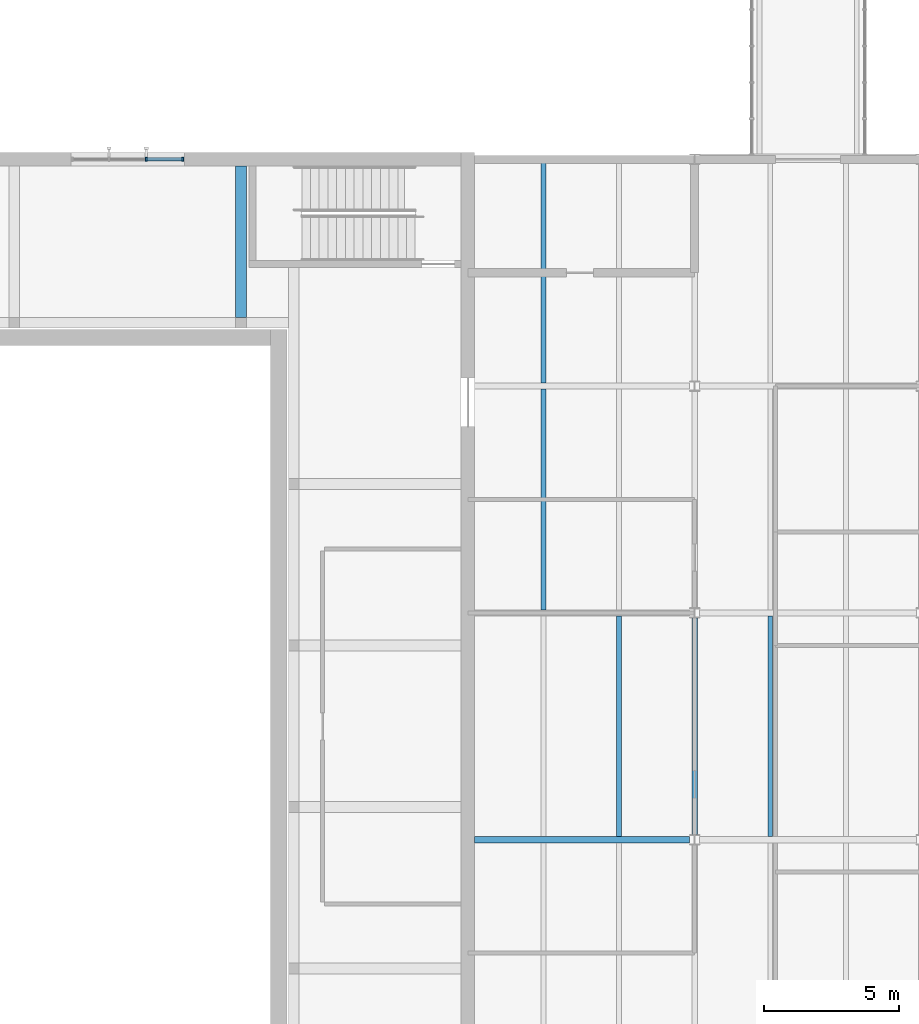
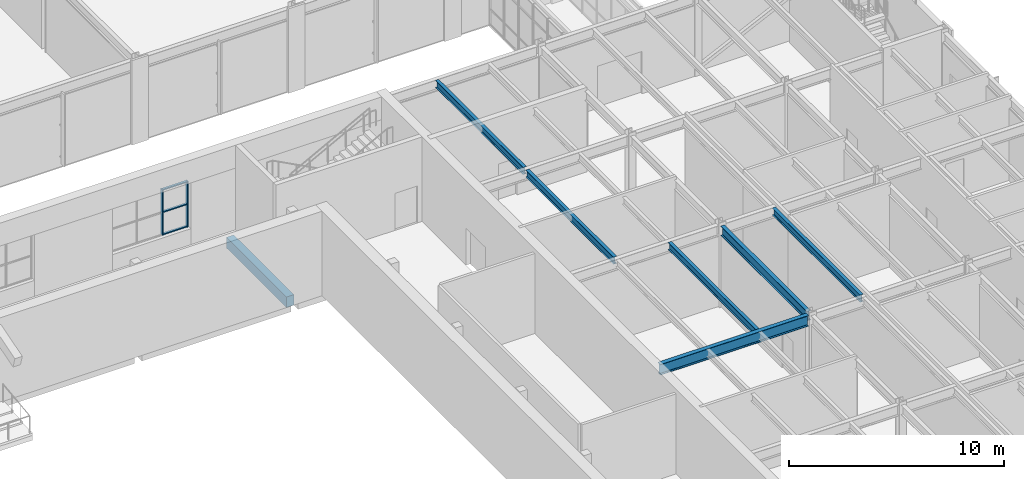
# One storey, part 47 of 127: 7 beams, 5 members, 1 element without a shape of its own.
"""IFC4 building model written with IfcOpenShell, lengths in metres."""

import ifcopenshell
import ifcopenshell.guid

model = None  # the IFC model being written
_history = None  # IfcOwnerHistory: only IFC2X3 demands one
_inside = {}  # id of a spatial element -> (the spatial element, [elements in it])
_under = {}  # id of a project, library or spatial element -> (it, [spatial elements below it])
_declared = {}  # id of a project -> (the project, [libraries it declares])
_typed = {}  # id of a type object -> (the type object, [elements of that type])
_made_of = {}  # id of a material, layer set ... -> (it, [elements and type objects made of it])


def new_model(schema):
    """Start an empty IFC model of exactly this schema.

    Asked for "IFC4X3", IfcOpenShell would pick the latest addendum, in which some entities
    have other attributes; the version numbers below select the first issue.
    IFC2X3 requires an IfcOwnerHistory on every rooted entity: one is made here for all.
    """
    global model, _history
    if schema == "IFC4X3":
        model = ifcopenshell.file(schema_version=(4, 3, 0, 0))
    else:
        model = ifcopenshell.file(schema=schema)
    _inside.clear()
    _under.clear()
    _declared.clear()
    _typed.clear()
    _made_of.clear()
    _history = None
    if model.schema == "IFC2X3":
        org = make("IfcOrganization", Name="unknown")
        user = make(
            "IfcPersonAndOrganization",
            ThePerson=make("IfcPerson", FamilyName="unknown"),
            TheOrganization=org,
        )
        app = make(
            "IfcApplication",
            ApplicationDeveloper=org,
            Version="unknown",
            ApplicationFullName="unknown",
            ApplicationIdentifier="unknown",
        )
        _history = make(
            "IfcOwnerHistory",
            OwningUser=user,
            OwningApplication=app,
            ChangeAction="ADDED",
            CreationDate=0,
        )
    return model


def make(cls, **values):
    """One entity of the class cls with the attributes given. An attribute that is None is left unset."""
    return model.create_entity(
        cls, **{name: value for name, value in values.items() if value is not None}
    )


def rooted(cls, **values):
    """An entity with a GlobalId (a new one), such as an element, a storey or a relation."""
    return make(cls, GlobalId=ifcopenshell.guid.new(), OwnerHistory=_history, **values)


def si_unit(unit_type, name, prefix=None):
    """IfcSIUnit, for example si_unit("LENGTHUNIT", "METRE", prefix="MILLI")."""
    return make("IfcSIUnit", UnitType=unit_type, Prefix=prefix, Name=name)


def assignment(units):
    """IfcUnitAssignment: the units of a project."""
    return None if units is None else make("IfcUnitAssignment", Units=units)


def point(xyz):
    """IfcCartesianPoint."""
    return None if xyz is None else make("IfcCartesianPoint", Coordinates=xyz)


def direction(xyz):
    """IfcDirection."""
    return None if xyz is None else make("IfcDirection", DirectionRatios=xyz)


def frame(location, z_axis=None, x_axis=None):
    """IfcAxis2Placement3D, a coordinate frame: its origin and axes. An axis left out is left unset."""
    return make(
        "IfcAxis2Placement3D",
        Location=point(location),
        Axis=direction(z_axis),
        RefDirection=direction(x_axis),
    )


def frame_2d(location, x_axis=None):
    """IfcAxis2Placement2D, a coordinate frame in the plane: its origin and x axis."""
    return make(
        "IfcAxis2Placement2D", Location=point(location), RefDirection=direction(x_axis)
    )


def origin():
    """The frame at (0, 0, 0) with its axes left unset."""
    return frame((0.0, 0.0, 0.0))


def origin_2d():
    """The frame at (0, 0) in the plane with its x axis left unset."""
    return frame_2d((0.0, 0.0))


def place(relative_to, where):
    """IfcLocalPlacement: puts the frame where relative to a parent placement (None: the world)."""
    return make(
        "IfcLocalPlacement", PlacementRelTo=relative_to, RelativePlacement=where
    )


def context(
    kind, dimensions, precision=None, world=None, true_north=None, identifier=None
):
    """IfcGeometricRepresentationContext, for example the 3D "Model" context."""
    return make(
        "IfcGeometricRepresentationContext",
        ContextIdentifier=identifier,
        ContextType=kind,
        CoordinateSpaceDimension=dimensions,
        Precision=precision,
        WorldCoordinateSystem=world,
        TrueNorth=true_north,
    )


def subcontext(parent, identifier, kind, view, scale=None):
    """IfcGeometricRepresentationSubContext, for example "Body" below "Model"."""
    return make(
        "IfcGeometricRepresentationSubContext",
        ContextIdentifier=identifier,
        ContextType=kind,
        ParentContext=parent,
        TargetScale=scale,
        TargetView=view,
    )


def project(units=None, contexts=None):
    """IfcProject with its units and contexts."""
    return rooted(
        "IfcProject",
        Name="project",
        RepresentationContexts=contexts,
        UnitsInContext=assignment(units),
    )


def spatial(cls, under=None, at=None, **own):
    """A site, building, storey or space (cls), placed at a placement, below another one or the project."""
    s = rooted(cls, ObjectPlacement=at, **own)
    if under is not None:
        _under.setdefault(under.id(), (under, []))[1].append(s)
    return s


def profile(cls, at=None, kind="AREA", **sizes):
    """A parametric profile (cls). Its sizes go by their IFC names, for example OverallWidth=200.0."""
    return make(cls, ProfileType=kind, Position=at, **sizes)


def rectangle(**sizes):
    """IfcRectangleProfileDef."""
    return profile("IfcRectangleProfileDef", **sizes)


def i_section(**sizes):
    """IfcIShapeProfileDef."""
    return profile("IfcIShapeProfileDef", **sizes)


def extrude(swept, where, along, depth):
    """IfcExtrudedAreaSolid: the profile swept, set in the frame where, extruded along a direction by depth."""
    return make(
        "IfcExtrudedAreaSolid",
        SweptArea=swept,
        Position=where,
        ExtrudedDirection=direction(along),
        Depth=depth,
    )


def shape(context_of_items, identifier, shape_type, items):
    """IfcShapeRepresentation: the items that make up one representation, for example the "Body"."""
    return make(
        "IfcShapeRepresentation",
        ContextOfItems=context_of_items,
        RepresentationIdentifier=identifier,
        RepresentationType=shape_type,
        Items=items,
    )


def material(Name=None, Category=None):
    """IfcMaterial."""
    return make("IfcMaterial", Name=Name, Category=Category)


def material_profile(
    of_material, cross_section, Name=None, Category=None, Priority=None
):
    """IfcMaterialProfile: a cross section and its material."""
    return make(
        "IfcMaterialProfile",
        Name=Name,
        Material=of_material,
        Profile=cross_section,
        Priority=Priority,
        Category=Category,
    )


def profile_set(profiles, Name=None, composite=None):
    """IfcMaterialProfileSet."""
    return make(
        "IfcMaterialProfileSet",
        Name=Name,
        MaterialProfiles=profiles,
        CompositeProfile=composite,
    )


def made_of(thing, what):
    """Note that an element or type object is made of a material, layer set ...; save() writes the relation."""
    if what is not None:
        _made_of.setdefault(what.id(), (what, []))[1].append(thing)
    return thing


def type_object(cls, material=None, **own):
    """A type object (cls), such as IfcWallType, which elements share."""
    return made_of(rooted(cls, **own), material)


def element(
    cls,
    number,
    at=None,
    inside=None,
    cuts=None,
    type_object=None,
    material=None,
    context=None,
    identifier="Body",
    shape_type=None,
    held_by="IfcProductDefinitionShape",
    body=None,
    shapes=None,
    **own,
):
    """One element of the class cls, such as IfcWall. Its Tag is "e" and its number.

    at: its placement. inside: the storey or other place that contains it. cuts: it is an
    opening in that element (IfcRelVoidsElement). A single representation is given by context,
    identifier, shape_type and body (its items); several are given by shapes. held_by: the class
    of the entity that holds the representations. save() writes the other relations.
    """
    e = rooted(cls, Tag="e%d" % number, ObjectPlacement=at, **own)
    if body is not None:
        shapes = [shape(context, identifier, shape_type, body)]
    if shapes is not None:
        e.Representation = make(held_by, Representations=shapes)
    if inside is not None:
        _inside.setdefault(inside.id(), (inside, []))[1].append(e)
    if cuts is not None:
        rooted(
            "IfcRelVoidsElement", RelatingBuildingElement=cuts, RelatedOpeningElement=e
        )
    if type_object is not None:
        _typed.setdefault(type_object.id(), (type_object, []))[1].append(e)
    return made_of(e, material)


def aggregate(whole, parts):
    """IfcRelAggregates: a whole, such as a stair, and the parts it consists of."""
    return rooted("IfcRelAggregates", RelatingObject=whole, RelatedObjects=parts)


def save(model, path):
    """Write the relations noted so far, then the file.

    IfcRelAggregates (storeys below a building ...), IfcRelContainedInSpatialStructure (elements
    in a storey), IfcRelDefinesByType, IfcRelAssociatesMaterial and IfcRelDeclares: one each for
    every whole, place, type object, material and project.
    """
    for whole, parts in _under.values():
        aggregate(whole, parts)
    for where, things in _inside.values():
        rooted(
            "IfcRelContainedInSpatialStructure",
            RelatedElements=things,
            RelatingStructure=where,
        )
    for kind, things in _typed.values():
        rooted("IfcRelDefinesByType", RelatedObjects=things, RelatingType=kind)
    for what, things in _made_of.values():
        rooted("IfcRelAssociatesMaterial", RelatedObjects=things, RelatingMaterial=what)
    for by, libraries in _declared.values():
        rooted("IfcRelDeclares", RelatingContext=by, RelatedDefinitions=libraries)
    model.write(path)


model = new_model("IFC4")

# Units and contexts
model_context = context("Model", 3, precision=1e-05, world=origin(), true_north=direction((0.0, 1.0)))
body_context = subcontext(model_context, "Body", "Model", "MODEL_VIEW")
ifc_project = project(units=[si_unit("LENGTHUNIT", "METRE"), si_unit("AREAUNIT", "SQUARE_METRE"), si_unit("VOLUMEUNIT", "CUBIC_METRE"), si_unit("PLANEANGLEUNIT", "RADIAN"), si_unit("MASSUNIT", "GRAM", prefix="KILO")], contexts=[model_context])

# Site, building, storey
site_placement = place(None, origin())
site = spatial("IfcSite", under=ifc_project, at=site_placement, CompositionType="ELEMENT")
building_placement = place(site_placement, origin())
building = spatial("IfcBuilding", under=site, at=building_placement, Name="Ljudholm Concert House", CompositionType="ELEMENT")
storey_placement = place(building_placement, frame((0.0, 0.0, 5.39990234375)))
storey = spatial("IfcBuildingStorey", under=building, at=storey_placement, Name="L01", CompositionType="ELEMENT", Elevation=5.39990234375)

# Curtain wall, members
ifc_material_1 = material(Name="Aluminium curtain wall with impact-rated laminated glass", Category="aluminium")
curtain_wall_type = type_object("IfcCurtainWallType", Name="CURTAIN WALL 1400", PredefinedType="NOTDEFINED", material=ifc_material_1)
curtain_wall_placement = place(storey_placement, origin())
curtain_wall = element("IfcCurtainWall", 1, at=curtain_wall_placement, inside=storey, type_object=curtain_wall_type, Name="Promenade curtain wall", PredefinedType="NOTDEFINED")
ifc_material_2 = material(Name="Aluminium extrusion", Category="aluminium")
ifc_material_profile_1 = material_profile(ifc_material_2, rectangle(XDim=0.159912109375, YDim=0.06005859375, at=origin_2d()), Name="MULLION 60x160")
ifc_profile_set_1 = profile_set([ifc_material_profile_1], Name="Aluminium extrusion")
member_type_1 = type_object("IfcMemberType", Name="MULLION 60x160", PredefinedType="MULLION", material=ifc_profile_set_1)
member_1_placement = place(storey_placement, frame((84.489990234375, 96.39990234375, 0.900146484375), z_axis=(0.0, 0.0, 1.0), x_axis=(0.0, 1.0, 0.0)))
member_1 = element("IfcMember", 2, at=member_1_placement, type_object=member_type_1, Name="Mullion", PredefinedType="MULLION", context=body_context, shape_type="SweptSolid", body=[
    extrude(rectangle(XDim=0.159912109375, YDim=0.06005859375, at=origin_2d()), origin(), (0.0, 0.0, 1.0), 2.599853515625),
])
member_2_placement = place(storey_placement, frame((85.840087890625, 96.39990234375, 0.900146484375), z_axis=(0.0, 0.0, 1.0), x_axis=(0.0, 1.0, 0.0)))
member_2 = element("IfcMember", 3, at=member_2_placement, type_object=member_type_1, Name="Mullion", PredefinedType="MULLION", context=body_context, shape_type="SweptSolid", body=[
    extrude(rectangle(XDim=0.159912109375, YDim=0.06005859375, at=origin_2d()), origin(), (0.0, 0.0, 1.0), 2.599853515625),
])

# Beams
ifc_material_3 = material(Name="Concrete 6,500 psi", Category="concrete")
ifc_material_profile_2 = material_profile(ifc_material_3, rectangle(XDim=0.39990234375, YDim=0.60009765625, at=origin_2d()), Name="RC BEAM 400x600")
ifc_profile_set_2 = profile_set([ifc_material_profile_2], Name="Concrete 6,500 psi")
beam_type_1 = type_object("IfcBeamType", Name="RC BEAM 400x600", PredefinedType="BEAM", material=ifc_profile_set_2)
beam_1_placement = place(storey_placement, frame((88.0, 90.550048828125, -0.5498046875), z_axis=(0.0, 1.0, 0.0), x_axis=(-1.0, 0.0, 0.0)))
element("IfcBeam", 4, at=beam_1_placement, inside=storey, type_object=beam_type_1, Name="Ring cross beam", PredefinedType="BEAM", context=body_context, shape_type="SweptSolid", body=[
    extrude(rectangle(XDim=0.39990234375, YDim=0.60009765625, at=origin_2d()), origin(), (0.0, 0.0, 1.0), 5.599853515625),
])
ifc_material_4 = material(Name="Steel ASTM A992", Category="steel")
ifc_material_profile_3 = material_profile(ifc_material_4, i_section(OverallWidth=0.177734375, OverallDepth=0.406494140625, WebThickness=0.0078125, FlangeThickness=0.012939453125, FilletRadius=0.01025390625, at=origin_2d()), Name="W16X40")
ifc_profile_set_3 = profile_set([ifc_material_profile_3], Name="Steel ASTM A992")
beam_type_2 = type_object("IfcBeamType", Name="STEEL BEAM W16X40", PredefinedType="BEAM", material=ifc_profile_set_3)
for number, where, z_axis, x_axis, name in (
    (5, (102.0, 71.314453125, 4.4169921875), (0.0, 1.0, 0.0), (-1.0, 0.0, 0.0), "Beam BOH-L02-sb-102-71.2"),
    (6, (99.199951171875, 79.714599609375, 4.4169921875), (0.0, 1.0, 0.0), (-1.0, 0.0, 0.0), "Beam BOH-L02-sb-99.2-79.6"),
    (7, (99.199951171875, 88.114501953125, 4.4169921875), (0.0, 1.0, 0.0), (-1.0, 0.0, 0.0), "Beam BOH-L02-sb-99.2-88"),
    (8, (107.60009765625, 71.314453125, 4.4169921875), (0.0, 1.0, 0.0), (-1.0, 0.0, 0.0), "Beam BOH-L02-sb-107.6-71.2"),
):
    element("IfcBeam", number, at=place(storey_placement, frame(where, z_axis=z_axis, x_axis=x_axis)), inside=storey, type_object=beam_type_2, Name=name, PredefinedType="BEAM", context=body_context, shape_type="SweptSolid", body=[
        extrude(i_section(OverallWidth=0.177734375, OverallDepth=0.406494140625, WebThickness=0.0078125, FlangeThickness=0.012939453125, FilletRadius=0.01025390625, at=origin_2d()), origin(), (0.0, 0.0, 1.0), 8.1708984375),
    ])
ifc_material_5 = material(Name="Steel ASTM A992", Category="steel")
ifc_material_profile_4 = material_profile(ifc_material_5, i_section(OverallWidth=0.209228515625, OverallDepth=0.533447265625, WebThickness=0.01025390625, FlangeThickness=0.015625, FilletRadius=0.012939453125, at=origin_2d()), Name="W21X62")
ifc_profile_set_4 = profile_set([ifc_material_profile_4], Name="Steel ASTM A992")
beam_type_3 = type_object("IfcBeamType", Name="STEEL BEAM W21X62", PredefinedType="BEAM", material=ifc_profile_set_4)
beam_2_placement = place(storey_placement, frame((104.800048828125, 71.38671875, 4.353515625), z_axis=(0.0, 1.0, 0.0), x_axis=(-1.0, 0.0, 0.0)))
element("IfcBeam", 9, at=beam_2_placement, inside=storey, type_object=beam_type_3, Name="Beam BOH-L02-gy-104.8-71.2", PredefinedType="BEAM", context=body_context, shape_type="SweptSolid", body=[
    extrude(i_section(OverallWidth=0.209228515625, OverallDepth=0.533447265625, WebThickness=0.01025390625, FlangeThickness=0.015625, FilletRadius=0.012939453125, at=origin_2d()), origin(), (0.0, 0.0, 1.0), 8.026611328125),
])
ifc_material_6 = material(Name="Steel ASTM A992", Category="steel")
ifc_material_profile_5 = material_profile(ifc_material_6, i_section(OverallWidth=0.22900390625, OverallDepth=0.612060546875, WebThickness=0.011962890625, FlangeThickness=0.01953125, FilletRadius=0.0126953125, at=origin_2d()), Name="W24X84")
ifc_profile_set_5 = profile_set([ifc_material_profile_5], Name="Steel ASTM A992")
beam_type_4 = type_object("IfcBeamType", Name="STEEL BEAM W24X84", PredefinedType="BEAM", material=ifc_profile_set_5)
beam_3_placement = place(storey_placement, frame((96.64990234375, 71.199951171875, 4.31396484375), z_axis=(1.0, 0.0, 0.0), x_axis=(0.0, 1.0, 0.0)))
element("IfcBeam", 10, at=beam_3_placement, inside=storey, type_object=beam_type_4, Name="Beam BOH-L02-gx-96.4-71.2", PredefinedType="BEAM", context=body_context, shape_type="SweptSolid", body=[
    extrude(i_section(OverallWidth=0.22900390625, OverallDepth=0.612060546875, WebThickness=0.011962890625, FlangeThickness=0.01953125, FilletRadius=0.0126953125, at=origin_2d()), origin(), (0.0, 0.0, 1.0), 7.96337890625),
])

# Member
ifc_material_7 = material(Name="Aluminium extrusion", Category="aluminium")
ifc_material_profile_6 = material_profile(ifc_material_7, rectangle(XDim=0.1201171875, YDim=0.06005859375, at=origin_2d()), Name="TRANSOM 60x120")
ifc_profile_set_6 = profile_set([ifc_material_profile_6], Name="Aluminium extrusion")
member_type_2 = type_object("IfcMemberType", Name="TRANSOM 60x120", PredefinedType="USERDEFINED", material=ifc_profile_set_6)
member_3_placement = place(storey_placement, frame((84.52001953125, 96.39990234375, 0.93017578125), z_axis=(1.0, 0.0, 0.0), x_axis=(0.0, 1.0, 0.0)))
member_3 = element("IfcMember", 11, at=member_3_placement, type_object=member_type_2, Name="Transom", ObjectType="TRANSOM", PredefinedType="USERDEFINED", context=body_context, shape_type="SweptSolid", body=[
    extrude(rectangle(XDim=0.1201171875, YDim=0.06005859375, at=origin_2d()), origin(), (0.0, 0.0, 1.0), 1.2900390625),
])

member_4_placement = place(storey_placement, frame((84.52001953125, 96.39990234375, 2.2001953125), z_axis=(1.0, 0.0, 0.0), x_axis=(0.0, 1.0, 0.0)))
member_4 = element("IfcMember", 12, at=member_4_placement, type_object=member_type_2, Name="Transom", ObjectType="TRANSOM", PredefinedType="USERDEFINED", context=body_context, shape_type="SweptSolid", body=[
    extrude(rectangle(XDim=0.1201171875, YDim=0.06005859375, at=origin_2d()), origin(), (0.0, 0.0, 1.0), 1.2900390625),
])

member_5_placement = place(storey_placement, frame((84.52001953125, 96.39990234375, 3.47021484375), z_axis=(1.0, 0.0, 0.0), x_axis=(0.0, 1.0, 0.0)))
member_5 = element("IfcMember", 13, at=member_5_placement, type_object=member_type_2, Name="Transom", ObjectType="TRANSOM", PredefinedType="USERDEFINED", context=body_context, shape_type="SweptSolid", body=[
    extrude(rectangle(XDim=0.1201171875, YDim=0.06005859375, at=origin_2d()), origin(), (0.0, 0.0, 1.0), 1.2900390625),
])

aggregate(curtain_wall, [member_1, member_2, member_3, member_4, member_5])

save(model, "model.ifc")
